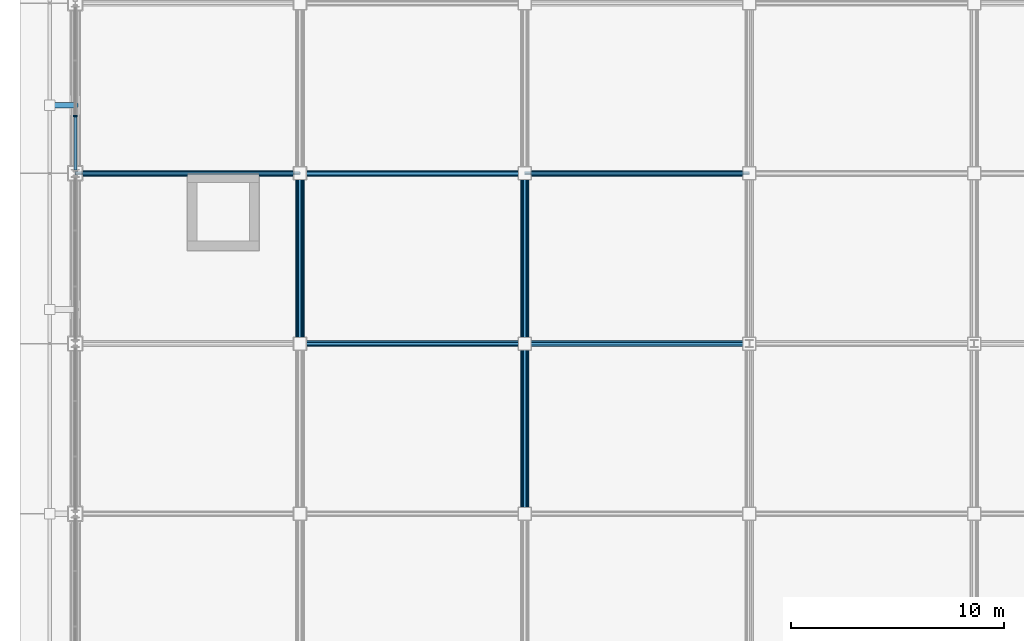
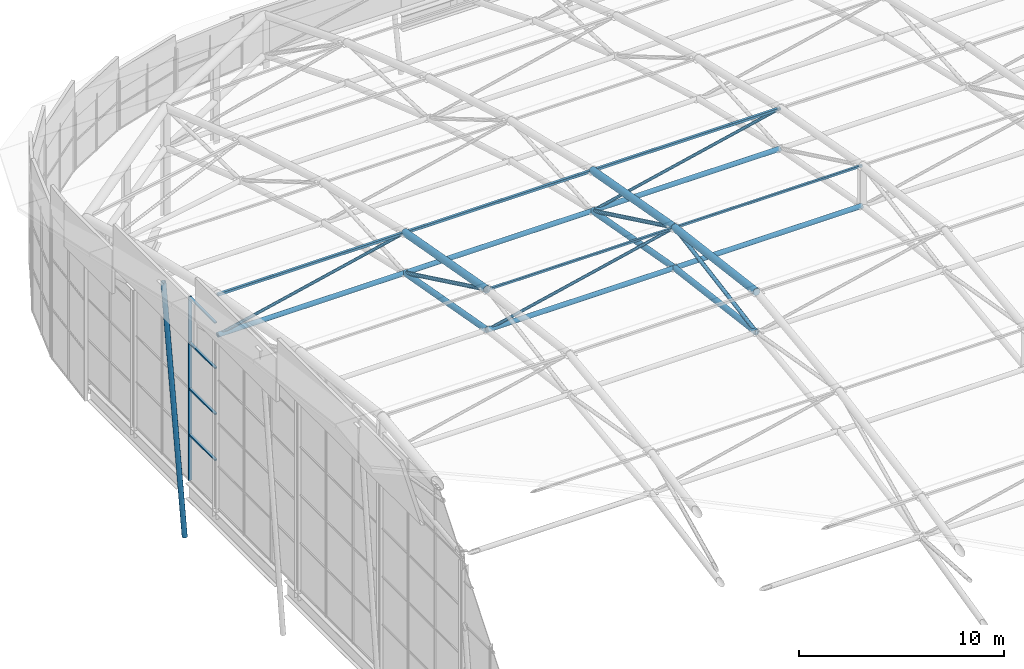
# One storey, part 17 of 42: 28 members, 1 element without a shape of its own.
"""IFC4 building model written with IfcOpenShell, lengths in metres."""

from ifc_helpers import new_model, si_unit, direction, frame, origin, origin_2d, place, context, subcontext, project, spatial, rectangle, hollow_rectangle, hollow_circle, extrude, material, layer, layer_set, material_profile, profile_set, type_object, element, aggregate, save


model = new_model("IFC4")

# Units and contexts
model_context = context("Model", 3, precision=1e-05, world=origin(), true_north=direction((0.0, 1.0)))
body_context = subcontext(model_context, "Body", "Model", "MODEL_VIEW")
ifc_project = project(units=[si_unit("LENGTHUNIT", "METRE"), si_unit("AREAUNIT", "SQUARE_METRE"), si_unit("VOLUMEUNIT", "CUBIC_METRE"), si_unit("PLANEANGLEUNIT", "RADIAN"), si_unit("MASSUNIT", "GRAM", prefix="KILO")], contexts=[model_context])

# Site, building, storey
site_placement = place(None, origin())
site = spatial("IfcSite", under=ifc_project, at=site_placement, CompositionType="ELEMENT")
building_placement = place(site_placement, origin())
building = spatial("IfcBuilding", under=site, at=building_placement, Name="Caelomonte Colonnade Arena", CompositionType="ELEMENT")
storey_placement = place(building_placement, frame((0.0, 0.0, 28.199951171875)))
storey = spatial("IfcBuildingStorey", under=building, at=storey_placement, Name="RF", CompositionType="ELEMENT", Elevation=28.199951171875)

# Curtain wall, members
ifc_material_1 = material(Name="Bronze anodised aluminium and low-E glazing", Category="aluminium")
ifc_layer = layer(ifc_material_1, 0.179931640625)
ifc_layer_set = layer_set([ifc_layer], Name="Bronze anodised aluminium and low-E glazing")
curtain_wall_type = type_object("IfcCurtainWallType", Name="ENV-CW-CW-TYMP-07", PredefinedType="USERDEFINED", material=ifc_layer_set)
curtain_wall_placement = place(storey_placement, origin())
curtain_wall = element("IfcCurtainWall", 1, at=curtain_wall_placement, inside=storey, type_object=curtain_wall_type, Name="Barrel arch W clerestory tympanum curtain wall 7", ObjectType="UNITIZED CURTAIN WALL", PredefinedType="USERDEFINED")
ifc_material_2 = material(Name="Bronze anodised aluminium AA6063-T6", Category="aluminium")
ifc_material_profile_1 = material_profile(ifc_material_2, rectangle(XDim=0.070068359375, YDim=0.179931640625, at=origin_2d()), Name="CWM-70X180")
ifc_profile_set_1 = profile_set([ifc_material_profile_1], Name="Bronze anodised aluminium AA6063-T6")
member_type_1 = type_object("IfcMemberType", Name="ENV-CW-MULL1", PredefinedType="MULLION", material=ifc_profile_set_1)
member_1_placement = place(storey_placement, frame((57.60009765625, 85.893310546875, -0.14990234375), z_axis=(0.0, 0.0, 1.0), x_axis=(0.0, -1.0, 0.0)))
member_1 = element("IfcMember", 2, at=member_1_placement, type_object=member_type_1, Name="CW-TYMP-07 mullion 3", PredefinedType="MULLION", context=body_context, shape_type="SweptSolid", body=[
    extrude(rectangle(XDim=0.070068359375, YDim=0.179931640625, at=origin_2d()), origin(), (0.0, 0.0, 1.0), 10.952880859375),
])
ifc_material_profile_2 = material_profile(ifc_material_2, rectangle(XDim=0.070068359375, YDim=0.139892578125, at=origin_2d()), Name="CWT-70X140")
ifc_profile_set_2 = profile_set([ifc_material_profile_2], Name="Bronze anodised aluminium AA6063-T6")
member_type_2 = type_object("IfcMemberType", Name="ENV-CW-TRAN1", PredefinedType="USERDEFINED", material=ifc_profile_set_2)
member_2_placement = place(storey_placement, frame((57.60009765625, 85.8583984375, 2.58837890625), z_axis=(0.0, -1.0, 0.0), x_axis=(0.0, 0.0, 1.0)))
member_2 = element("IfcMember", 3, at=member_2_placement, type_object=member_type_2, Name="CW-TYMP-07 transom 3.2", ObjectType="TRANSOM", PredefinedType="USERDEFINED", context=body_context, shape_type="SweptSolid", body=[
    extrude(rectangle(XDim=0.070068359375, YDim=0.139892578125, at=origin_2d()), origin(), (0.0, 0.0, 1.0), 2.50830078125),
])
member_3_placement = place(storey_placement, frame((57.60009765625, 85.8583984375, 5.32666015625), z_axis=(0.0, -1.0, 0.0), x_axis=(0.0, 0.0, 1.0)))
member_3 = element("IfcMember", 4, at=member_3_placement, type_object=member_type_2, Name="CW-TYMP-07 transom 3.3", ObjectType="TRANSOM", PredefinedType="USERDEFINED", context=body_context, shape_type="SweptSolid", body=[
    extrude(rectangle(XDim=0.070068359375, YDim=0.139892578125, at=origin_2d()), origin(), (0.0, 0.0, 1.0), 2.50830078125),
])
member_4_placement = place(storey_placement, frame((57.60009765625, 85.8583984375, 8.064697265625), z_axis=(0.0, -1.0, 0.0), x_axis=(0.0, 0.0, 1.0)))
member_4 = element("IfcMember", 5, at=member_4_placement, type_object=member_type_2, Name="CW-TYMP-07 transom 3.4", ObjectType="TRANSOM", PredefinedType="USERDEFINED", context=body_context, shape_type="SweptSolid", body=[
    extrude(rectangle(XDim=0.070068359375, YDim=0.139892578125, at=origin_2d()), origin(), (0.0, 0.0, 1.0), 2.50830078125),
])
member_5_placement = place(storey_placement, frame((57.60009765625, 85.8583984375, 10.76806640625), z_axis=(0.0, -1.0, 0.0), x_axis=(0.0, 0.0, 1.0)))
member_5 = element("IfcMember", 6, at=member_5_placement, type_object=member_type_2, Name="CW-TYMP-07 transom 3.5", ObjectType="TRANSOM", PredefinedType="USERDEFINED", context=body_context, shape_type="SweptSolid", body=[
    extrude(rectangle(XDim=0.070068359375, YDim=0.139892578125, at=origin_2d()), origin(), (0.0, 0.0, 1.0), 2.50830078125),
])
aggregate(curtain_wall, [member_1, member_2, member_3, member_4, member_5])

# Members
ifc_material_3 = material(Name="Steel ASTM A500 Grade C", Category="steel")
ifc_material_profile_3 = material_profile(ifc_material_3, hollow_circle(Radius=0.161865234375, WallThickness=0.010009765625, at=origin_2d()), Name="CHS323.9X10.0")
ifc_profile_set_3 = profile_set([ifc_material_profile_3], Name="Steel ASTM A500 Grade C")
member_type_3 = type_object("IfcMemberType", Name="STR-SF-BC2", PredefinedType="CHORD", material=ifc_profile_set_3)
member_6_placement = place(storey_placement, frame((68.159912109375, 75.201904296875, 11.584716796875), z_axis=(0.0, 0.983990820662, -0.178219148393), x_axis=(-1.0, 0.0, 0.0)))
element("IfcMember", 7, at=member_6_placement, inside=storey, type_object=member_type_3, Name="Arched roof truss bottom chord 1-7", PredefinedType="CHORD", context=body_context, shape_type="SweptSolid", body=[
    extrude(hollow_circle(Radius=0.161865234375, WallThickness=0.010009765625, at=origin_2d()), origin(), (0.0, 0.0, 1.0), 8.126220703125),
])
member_7_placement = place(storey_placement, frame((78.719970703125, 67.201904296875, 12.599853515625), z_axis=(0.0, 0.992048803131, -0.125853773113), x_axis=(-1.0, 0.0, 0.0)))
element("IfcMember", 8, at=member_7_placement, inside=storey, type_object=member_type_3, Name="Arched roof truss bottom chord 2-6", PredefinedType="CHORD", context=body_context, shape_type="SweptSolid", body=[
    extrude(hollow_circle(Radius=0.161865234375, WallThickness=0.010009765625, at=origin_2d()), origin(), (0.0, 0.0, 1.0), 8.060302734375),
])
member_8_placement = place(storey_placement, frame((78.719970703125, 75.201904296875, 11.584716796875), z_axis=(0.0, 0.983990820662, -0.178219148393), x_axis=(-1.0, 0.0, 0.0)))
element("IfcMember", 9, at=member_8_placement, inside=storey, type_object=member_type_3, Name="Arched roof truss bottom chord 2-7", PredefinedType="CHORD", context=body_context, shape_type="SweptSolid", body=[
    extrude(hollow_circle(Radius=0.161865234375, WallThickness=0.010009765625, at=origin_2d()), origin(), (0.0, 0.0, 1.0), 8.126220703125),
])
ifc_material_profile_4 = material_profile(ifc_material_3, hollow_rectangle(XDim=0.15234375, YDim=0.15234375, WallThickness=0.008056640625, InnerFilletRadius=0.008056640625, OuterFilletRadius=0.01611328125, at=origin_2d()), Name="HSS152X152X8.0")
ifc_profile_set_4 = profile_set([ifc_material_profile_4], Name="Steel ASTM A500 Grade C")
member_type_4 = type_object("IfcMemberType", Name="STR-SF-PUR2", PredefinedType="PURLIN", material=ifc_profile_set_4)
for number, where, z_axis, x_axis, name in (
    (10, (57.60205078125, 83.199951171875, 12.5361328125), (1.0, 0.0, 0.0), (0.0, 1.0, 0.0), "Arched roof purlin 0-8"),
    (11, (68.162109375, 83.199951171875, 12.5361328125), (1.0, 0.0, 0.0), (0.0, 1.0, 0.0), "Arched roof purlin 1-8"),
):
    element("IfcMember", number, at=place(storey_placement, frame(where, z_axis=z_axis, x_axis=x_axis)), inside=storey, type_object=member_type_4, Name=name, PredefinedType="PURLIN", context=body_context, shape_type="SweptSolid", body=[
        extrude(hollow_rectangle(XDim=0.15234375, YDim=0.15234375, WallThickness=0.008056640625, InnerFilletRadius=0.008056640625, OuterFilletRadius=0.01611328125, at=origin_2d()), origin(), (0.0, 0.0, 1.0), 10.555908203125),
    ])
member_9_placement = place(storey_placement, frame((78.721923828125, 83.199951171875, 12.5361328125), z_axis=(1.0, 0.0, 0.0), x_axis=(0.0, 1.0, 0.0)))
element("IfcMember", 12, at=member_9_placement, inside=storey, type_object=member_type_4, Name="Arched roof purlin 2-8", PredefinedType="PURLIN", context=body_context, shape_type="SweptSolid", body=[
    extrude(hollow_rectangle(XDim=0.15234375, YDim=0.15234375, WallThickness=0.008056640625, InnerFilletRadius=0.008056640625, OuterFilletRadius=0.01611328125, at=origin_2d()), origin(), (0.0, 0.0, 1.0), 10.55615234375),
])
ifc_material_profile_5 = material_profile(ifc_material_3, hollow_rectangle(XDim=0.126953125, YDim=0.126953125, WallThickness=0.00634765625, InnerFilletRadius=0.00634765625, OuterFilletRadius=0.0126953125, at=origin_2d()), Name="HSS127X127X6.4")
ifc_profile_set_5 = profile_set([ifc_material_profile_5], Name="Steel ASTM A500 Grade C")
member_type_5 = type_object("IfcMemberType", Name="STR-SF-PUR3", PredefinedType="PURLIN", material=ifc_profile_set_5)
member_10_placement = place(storey_placement, frame((68.162109375, 75.199951171875, 13.985107421875), z_axis=(1.0, 0.0, 0.0), x_axis=(0.0, 1.0, 0.0)))
element("IfcMember", 13, at=member_10_placement, inside=storey, type_object=member_type_5, Name="Arched roof purlin 1-7", PredefinedType="PURLIN", context=body_context, shape_type="SweptSolid", body=[
    extrude(hollow_rectangle(XDim=0.126953125, YDim=0.126953125, WallThickness=0.00634765625, InnerFilletRadius=0.00634765625, OuterFilletRadius=0.0126953125, at=origin_2d()), origin(), (0.0, 0.0, 1.0), 10.555908203125),
])
member_11_placement = place(storey_placement, frame((78.721923828125, 75.199951171875, 13.985107421875), z_axis=(1.0, 0.0, 0.0), x_axis=(0.0, 1.0, 0.0)))
element("IfcMember", 14, at=member_11_placement, inside=storey, type_object=member_type_5, Name="Arched roof purlin 2-7", PredefinedType="PURLIN", context=body_context, shape_type="SweptSolid", body=[
    extrude(hollow_rectangle(XDim=0.126953125, YDim=0.126953125, WallThickness=0.00634765625, InnerFilletRadius=0.00634765625, OuterFilletRadius=0.0126953125, at=origin_2d()), origin(), (0.0, 0.0, 1.0), 10.55615234375),
])
ifc_material_profile_6 = material_profile(ifc_material_3, hollow_circle(Radius=0.203125, WallThickness=0.0126953125, at=origin_2d()), Name="CHS406.4X12.7")
ifc_profile_set_6 = profile_set([ifc_material_profile_6], Name="Steel ASTM A500 Grade C")
member_type_6 = type_object("IfcMemberType", Name="STR-SF-TC2", PredefinedType="CHORD", material=ifc_profile_set_6)
member_12_placement = place(storey_placement, frame((68.159912109375, 75.201904296875, 13.984619140625), z_axis=(0.0, 0.983990820662, -0.178219148393), x_axis=(-1.0, 0.0, 0.0)))
element("IfcMember", 15, at=member_12_placement, inside=storey, type_object=member_type_6, Name="Arched roof truss top chord 1-7", PredefinedType="CHORD", context=body_context, shape_type="SweptSolid", body=[
    extrude(hollow_circle(Radius=0.203125, WallThickness=0.0126953125, at=origin_2d()), origin(), (0.0, 0.0, 1.0), 8.126220703125),
])
member_13_placement = place(storey_placement, frame((78.719970703125, 67.201904296875, 14.999755859375), z_axis=(0.0, 0.992048803131, -0.125853773113), x_axis=(-1.0, 0.0, 0.0)))
element("IfcMember", 16, at=member_13_placement, inside=storey, type_object=member_type_6, Name="Arched roof truss top chord 2-6", PredefinedType="CHORD", context=body_context, shape_type="SweptSolid", body=[
    extrude(hollow_circle(Radius=0.203125, WallThickness=0.0126953125, at=origin_2d()), origin(), (0.0, 0.0, 1.0), 8.060302734375),
])
member_14_placement = place(storey_placement, frame((78.719970703125, 75.201904296875, 13.984619140625), z_axis=(0.0, 0.983990820662, -0.178219148393), x_axis=(-1.0, 0.0, 0.0)))
element("IfcMember", 17, at=member_14_placement, inside=storey, type_object=member_type_6, Name="Arched roof truss top chord 2-7", PredefinedType="CHORD", context=body_context, shape_type="SweptSolid", body=[
    extrude(hollow_circle(Radius=0.203125, WallThickness=0.0126953125, at=origin_2d()), origin(), (0.0, 0.0, 1.0), 8.126220703125),
])
ifc_material_profile_7 = material_profile(ifc_material_3, hollow_circle(Radius=0.136474609375, WallThickness=0.00927734375, at=origin_2d()), Name="CHS273.0X9.3")
ifc_profile_set_7 = profile_set([ifc_material_profile_7], Name="Steel ASTM A500 Grade C")
member_type_7 = type_object("IfcMemberType", Name="STR-SF-TIE", PredefinedType="STRUT", material=ifc_profile_set_7)
for number, where, z_axis, x_axis, name in (
    (18, (57.60205078125, 83.199951171875, 10.135986328125), (1.0, 0.0, 0.0), (0.0, 1.0, 0.0), "Space frame roof tie strut 0-8"),
    (19, (68.162109375, 75.199951171875, 11.5849609375), (1.0, 0.0, 0.0), (0.0, 1.0, 0.0), "Space frame roof tie strut 1-7"),
    (20, (68.162109375, 83.199951171875, 10.135986328125), (1.0, 0.0, 0.0), (0.0, 1.0, 0.0), "Space frame roof tie strut 1-8"),
):
    element("IfcMember", number, at=place(storey_placement, frame(where, z_axis=z_axis, x_axis=x_axis)), inside=storey, type_object=member_type_7, Name=name, PredefinedType="STRUT", context=body_context, shape_type="SweptSolid", body=[
        extrude(hollow_circle(Radius=0.136474609375, WallThickness=0.00927734375, at=origin_2d()), origin(), (0.0, 0.0, 1.0), 10.555908203125),
    ])
for number, where, z_axis, x_axis, name in (
    (21, (78.721923828125, 75.199951171875, 11.5849609375), (1.0, 0.0, 0.0), (0.0, 1.0, 0.0), "Space frame roof tie strut 2-7"),
    (22, (78.721923828125, 83.199951171875, 10.135986328125), (1.0, 0.0, 0.0), (0.0, 1.0, 0.0), "Space frame roof tie strut 2-8"),
):
    element("IfcMember", number, at=place(storey_placement, frame(where, z_axis=z_axis, x_axis=x_axis)), inside=storey, type_object=member_type_7, Name=name, PredefinedType="STRUT", context=body_context, shape_type="SweptSolid", body=[
        extrude(hollow_circle(Radius=0.136474609375, WallThickness=0.00927734375, at=origin_2d()), origin(), (0.0, 0.0, 1.0), 10.55615234375),
    ])
member_15_placement = place(storey_placement, frame((57.599853515625, 86.39990234375, -3.7978515625), z_axis=(-0.076771765103, 0.0, 0.997048692935), x_axis=(0.0, -1.0, 0.0)))
element("IfcMember", 23, at=member_15_placement, inside=storey, type_object=member_type_7, Name="Roof eaves overhang inclined strut 9", PredefinedType="STRUT", context=body_context, shape_type="SweptSolid", body=[
    extrude(hollow_circle(Radius=0.136474609375, WallThickness=0.00927734375, at=origin_2d()), origin(), (0.0, 0.0, 1.0), 15.626953125),
])
ifc_material_profile_8 = material_profile(ifc_material_3, hollow_circle(Radius=0.109619140625, WallThickness=0.00830078125, at=origin_2d()), Name="CHS219.1X8.2")
ifc_profile_set_8 = profile_set([ifc_material_profile_8], Name="Steel ASTM A500 Grade C")
member_type_8 = type_object("IfcMemberType", Name="STR-SF-WEB1", PredefinedType="BRACE", material=ifc_profile_set_8)
member_16_placement = place(storey_placement, frame((68.159912109375, 75.201904296875, 13.984130859375), z_axis=(0.0, 0.901130279028, -0.433548405854), x_axis=(-1.0, 0.0, 0.0)))
element("IfcMember", 24, at=member_16_placement, inside=storey, type_object=member_type_8, Name="Space frame roof truss web diagonal 1-7", PredefinedType="BRACE", context=body_context, shape_type="SweptSolid", body=[
    extrude(hollow_circle(Radius=0.109619140625, WallThickness=0.00830078125, at=origin_2d()), origin(), (0.0, 0.0, 1.0), 8.873779296875),
])
member_17_placement = place(storey_placement, frame((78.719970703125, 67.201904296875, 12.600341796875), z_axis=(0.0, 0.985338447855, 0.1706110875), x_axis=(-1.0, 0.0, 0.0)))
element("IfcMember", 25, at=member_17_placement, inside=storey, type_object=member_type_8, Name="Space frame roof truss web diagonal 2-6", PredefinedType="BRACE", context=body_context, shape_type="SweptSolid", body=[
    extrude(hollow_circle(Radius=0.109619140625, WallThickness=0.00830078125, at=origin_2d()), origin(), (0.0, 0.0, 1.0), 8.114990234375),
])
member_18_placement = place(storey_placement, frame((78.719970703125, 75.201904296875, 13.984130859375), z_axis=(0.0, 0.901130279028, -0.433548405854), x_axis=(-1.0, 0.0, 0.0)))
element("IfcMember", 26, at=member_18_placement, inside=storey, type_object=member_type_8, Name="Space frame roof truss web diagonal 2-7", PredefinedType="BRACE", context=body_context, shape_type="SweptSolid", body=[
    extrude(hollow_circle(Radius=0.109619140625, WallThickness=0.00830078125, at=origin_2d()), origin(), (0.0, 0.0, 1.0), 8.873779296875),
])
ifc_material_profile_9 = material_profile(ifc_material_3, hollow_circle(Radius=0.084228515625, WallThickness=0.007080078125, at=origin_2d()), Name="CHS168.3X7.1")
ifc_profile_set_9 = profile_set([ifc_material_profile_9], Name="Steel ASTM A500 Grade C")
member_type_9 = type_object("IfcMemberType", Name="STR-SF-WEB2", PredefinedType="BRACE", material=ifc_profile_set_9)
for number, where, z_axis, x_axis, name in (
    (27, (57.60205078125, 83.199951171875, 10.136474609375), (0.975130861858, 0.0, 0.221629876714), (0.0, 1.0, 0.0), "Space frame transverse diagonal 0-8"),
    (28, (68.162109375, 75.199951171875, 11.58544921875), (0.975130861858, 0.0, 0.221629876714), (0.0, 1.0, 0.0), "Space frame transverse diagonal 1-7"),
):
    element("IfcMember", number, at=place(storey_placement, frame(where, z_axis=z_axis, x_axis=x_axis)), inside=storey, type_object=member_type_9, Name=name, PredefinedType="BRACE", context=body_context, shape_type="SweptSolid", body=[
        extrude(hollow_circle(Radius=0.084228515625, WallThickness=0.007080078125, at=origin_2d()), origin(), (0.0, 0.0, 1.0), 10.8251953125),
    ])
member_19_placement = place(storey_placement, frame((78.721923828125, 83.199951171875, 10.136474609375), z_axis=(0.975131969628, 0.0, 0.221625002672), x_axis=(0.0, 1.0, 0.0)))
element("IfcMember", 29, at=member_19_placement, inside=storey, type_object=member_type_9, Name="Space frame transverse diagonal 2-8", PredefinedType="BRACE", context=body_context, shape_type="SweptSolid", body=[
    extrude(hollow_circle(Radius=0.084228515625, WallThickness=0.007080078125, at=origin_2d()), origin(), (0.0, 0.0, 1.0), 10.825439453125),
])

save(model, "model.ifc")
